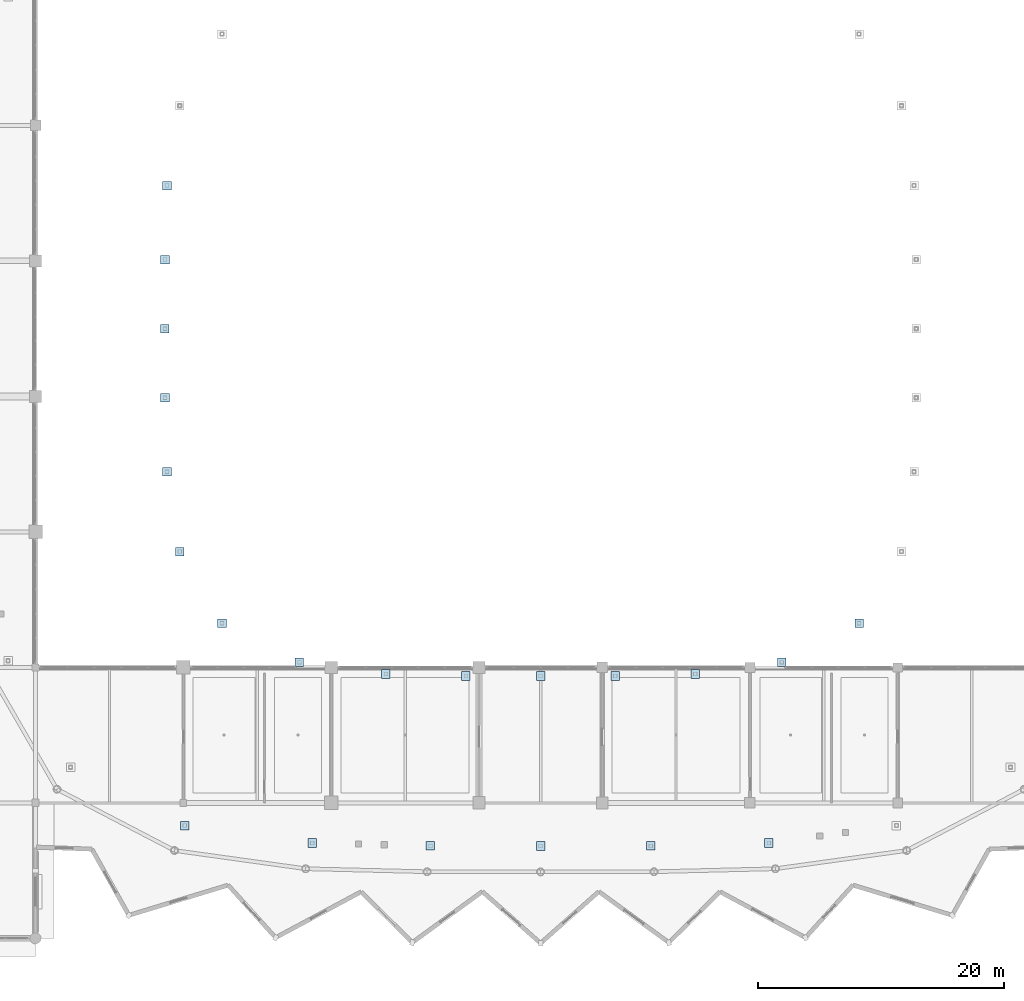
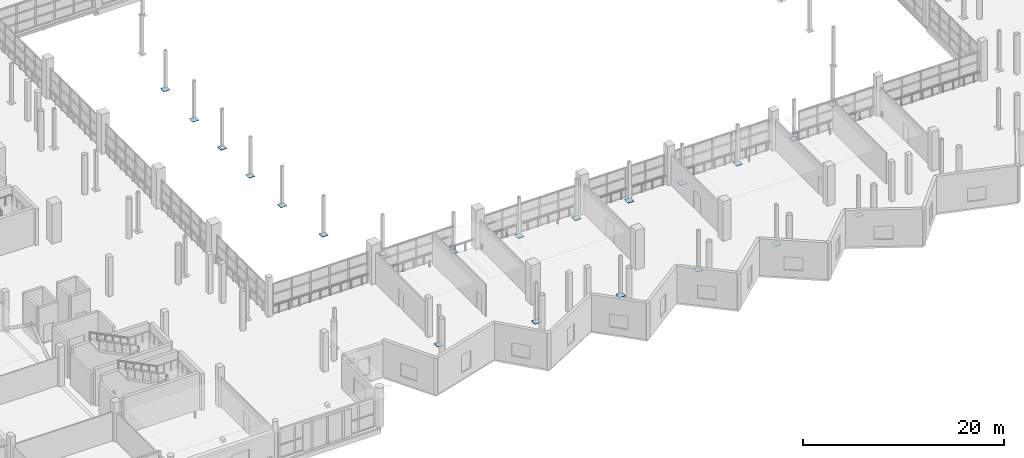
# One storey, part 85 of 143: 21 plates.
"""IFC4 building model written with IfcOpenShell, lengths in metres."""

from ifc_helpers import new_model, si_unit, direction, frame, origin, origin_2d, place, context, subcontext, project, spatial, rectangle, extrude, material, layer, layer_set, type_object, element, save


model = new_model("IFC4")

# Units and contexts
model_context = context("Model", 3, precision=1e-05, world=origin(), true_north=direction((0.0, 1.0)))
body_context = subcontext(model_context, "Body", "Model", "MODEL_VIEW")
ifc_project = project(units=[si_unit("LENGTHUNIT", "METRE"), si_unit("AREAUNIT", "SQUARE_METRE"), si_unit("VOLUMEUNIT", "CUBIC_METRE"), si_unit("PLANEANGLEUNIT", "RADIAN"), si_unit("MASSUNIT", "GRAM", prefix="KILO")], contexts=[model_context])

# Site, building, storey
site_placement = place(None, origin())
site = spatial("IfcSite", under=ifc_project, at=site_placement, CompositionType="ELEMENT")
building_placement = place(site_placement, origin())
building = spatial("IfcBuilding", under=site, at=building_placement, Name="Luwafu Chhajja Arena", CompositionType="ELEMENT")
storey_placement = place(building_placement, frame((0.0, 0.0, 5.39990234375)))
storey = spatial("IfcBuildingStorey", under=building, at=storey_placement, Name="L01", CompositionType="ELEMENT", Elevation=5.39990234375)

# Plates
ifc_material = material(Name="Steel S355", Category="steel")
ifc_layer = layer(ifc_material, 0.031982421875, Name="Steel S355")
ifc_layer_set = layer_set([ifc_layer], Name="Steel S355")
plate_type = type_object("IfcPlateType", Name="Atrium Column Base Plate BP-2", PredefinedType="USERDEFINED", material=ifc_layer_set)
for number, where, z_axis, x_axis, name in (
    (1, (68.676513671875, 61.11328125, 0.0), (0.0, 0.0, 1.0), (1.0, 0.0, 0.0), "Raker Post Base Plate BP-2 UI15"),
    (2, (68.50830078125, 55.10791015625, 0.0), (0.0, 0.0, 1.0), (1.0, 0.0, 0.0), "Raker Post Base Plate BP-2 UI16"),
    (3, (68.5, 49.5, 0.0), (0.0, 0.0, 1.0), (1.0, 0.0, 0.0), "Raker Post Base Plate BP-2 UI17"),
    (4, (68.50830078125, 43.89208984375, 0.0), (0.0, 0.0, 1.0), (1.0, 0.0, 0.0), "Raker Post Base Plate BP-2 UI18"),
    (5, (68.676513671875, 37.88671875, 0.0), (0.0, 0.0, 1.0), (1.0, 0.0, 0.0), "Raker Post Base Plate BP-2 UI19"),
    (6, (69.701416015625, 31.399658203125, 0.0), (0.0, 0.0, 1.0), (1.0, 0.0, 0.0), "Raker Post Base Plate BP-2 UI20"),
    (7, (73.14013671875, 25.590087890625, 0.0), (0.0, 0.0, 1.0), (1.0, 0.0, 0.0), "Raker Post Base Plate BP-2 UI21"),
    (8, (79.42333984375, 22.410888671875, 0.0), (0.0, 0.0, 1.0), (1.0, 0.0, 0.0), "Raker Post Base Plate BP-2 UI22"),
    (9, (86.439697265625, 21.463134765625, 0.0), (0.0, 0.0, 1.0), (1.0, 0.0, 0.0), "Raker Post Base Plate BP-2 UI23"),
    (10, (92.934814453125, 21.3076171875, 0.0), (0.0, 0.0, 1.0), (1.0, 0.0, 0.0), "Raker Post Base Plate BP-2 UI24"),
    (11, (99.0, 21.300048828125, 0.0), (0.0, 0.0, 1.0), (1.0, 0.0, 0.0), "Raker Post Base Plate BP-2 UI25"),
    (12, (105.065185546875, 21.3076171875, 0.0), (0.0, 0.0, 1.0), (1.0, 0.0, 0.0), "Raker Post Base Plate BP-2 UI26"),
    (13, (111.560302734375, 21.463134765625, 0.0), (0.0, 0.0, 1.0), (1.0, 0.0, 0.0), "Raker Post Base Plate BP-2 UI27"),
    (14, (118.57666015625, 22.410888671875, 0.0), (0.0, 0.0, 1.0), (1.0, 0.0, 0.0), "Raker Post Base Plate BP-2 UI28"),
    (15, (124.85986328125, 25.590087890625, 0.0), (0.0, 0.0, 1.0), (1.0, 0.0, 0.0), "Raker Post Base Plate BP-2 UI29"),
    (16, (70.116455078125, 9.154541015625, 0.0), (0.0, 0.0, 1.0), (1.0, 0.0, 0.0), "Raker Post Base Plate BP-2 UO22"),
    (17, (80.46826171875, 7.7431640625, 0.0), (0.0, 0.0, 1.0), (1.0, 0.0, 0.0), "Raker Post Base Plate BP-2 UO23"),
    (18, (90.051513671875, 7.51123046875, 0.0), (0.0, 0.0, 1.0), (1.0, 0.0, 0.0), "Raker Post Base Plate BP-2 UO24"),
    (19, (99.0, 7.5, 0.0), (0.0, 0.0, 1.0), (1.0, 0.0, 0.0), "Raker Post Base Plate BP-2 UO25"),
    (20, (107.948486328125, 7.51123046875, 0.0), (0.0, 0.0, 1.0), (1.0, 0.0, 0.0), "Raker Post Base Plate BP-2 UO26"),
    (21, (117.53173828125, 7.7431640625, 0.0), (0.0, 0.0, 1.0), (1.0, 0.0, 0.0), "Raker Post Base Plate BP-2 UO27"),
):
    element("IfcPlate", number, at=place(storey_placement, frame(where, z_axis=z_axis, x_axis=x_axis)), inside=storey, type_object=plate_type, Name=name, ObjectType="BASE PLATE", PredefinedType="USERDEFINED", context=body_context, shape_type="SweptSolid", body=[
        extrude(rectangle(XDim=0.699951171875, YDim=0.699951171875, at=origin_2d()), origin(), (0.0, 0.0, 1.0), 0.031982421875),
    ])

save(model, "model.ifc")
